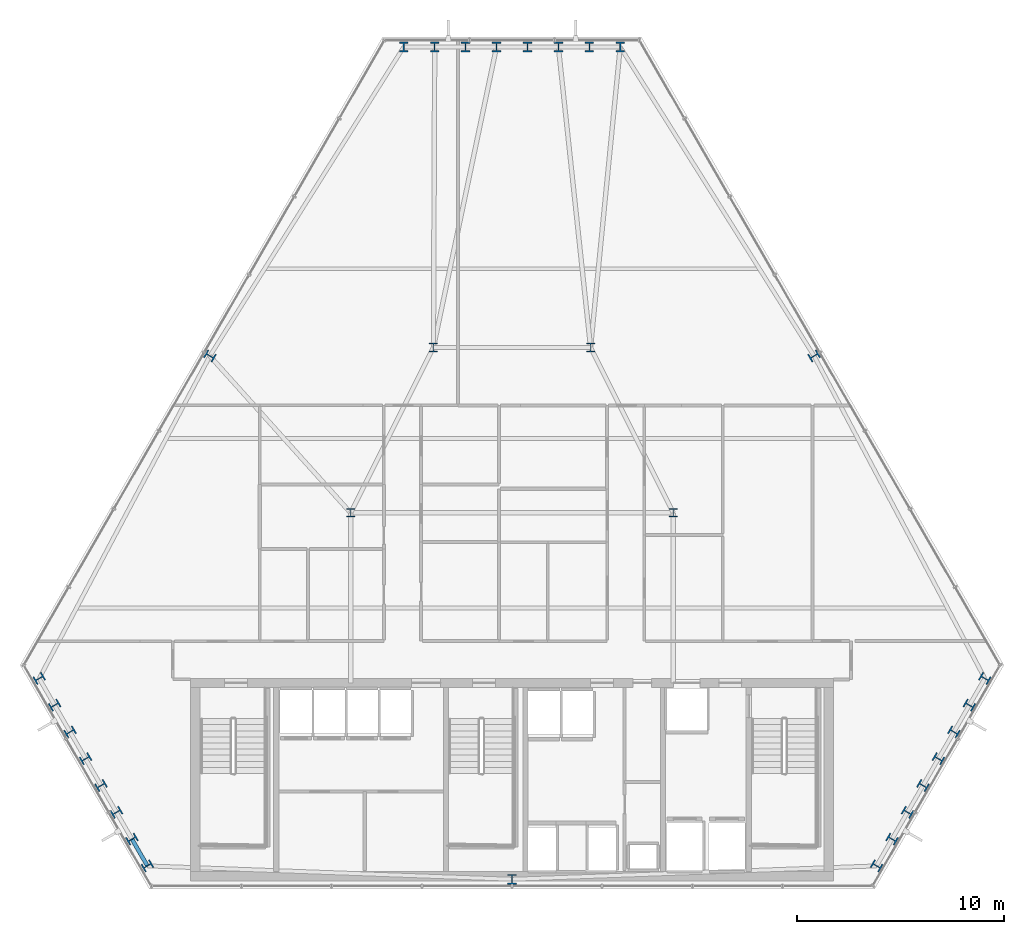
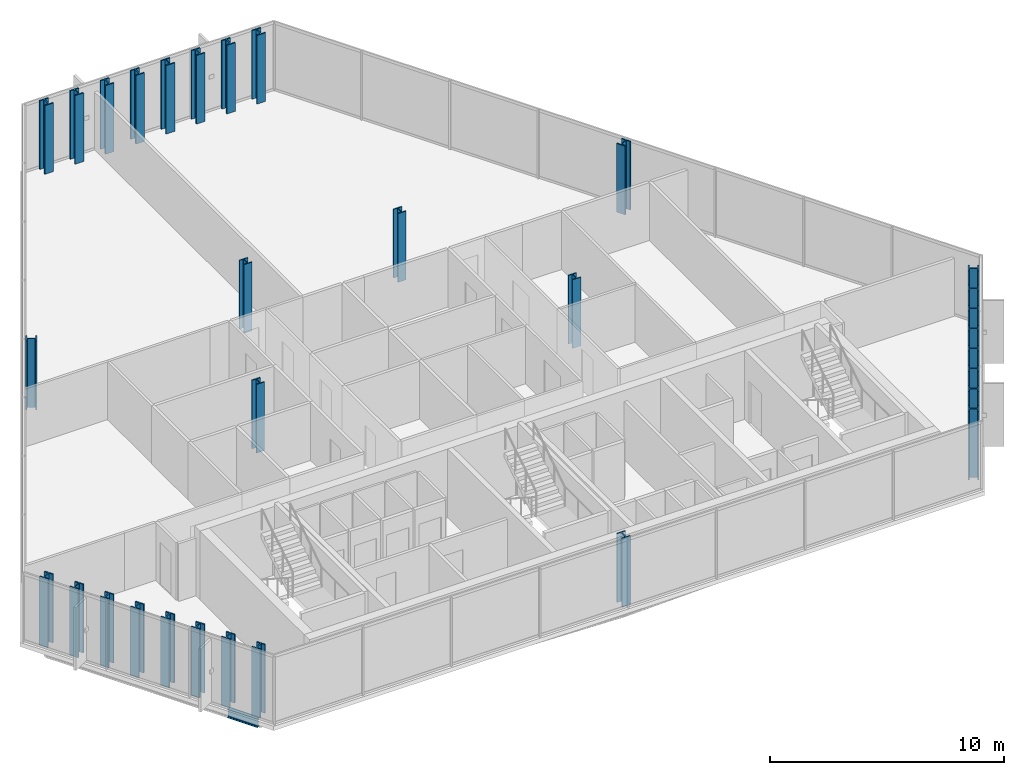
# One storey, part 1 of 32: 31 columns, 1 beam.
"""IFC4 building model written with IfcOpenShell, lengths in metres."""

from ifc_helpers import new_model, si_unit, direction, frame, origin, origin_2d, place, context, subcontext, project, spatial, i_section, extrude, material, material_profile, profile_set, type_object, element, save


model = new_model("IFC4")

# Units and contexts
model_context = context("Model", 3, precision=1e-05, world=origin(), true_north=direction((0.0, 1.0)))
body_context = subcontext(model_context, "Body", "Model", "MODEL_VIEW")
ifc_project = project(units=[si_unit("LENGTHUNIT", "METRE"), si_unit("AREAUNIT", "SQUARE_METRE"), si_unit("VOLUMEUNIT", "CUBIC_METRE"), si_unit("PLANEANGLEUNIT", "RADIAN"), si_unit("MASSUNIT", "GRAM", prefix="KILO")], contexts=[model_context])

# Site, building, storey
site_placement = place(None, origin())
site = spatial("IfcSite", under=ifc_project, at=site_placement, CompositionType="ELEMENT")
building_placement = place(site_placement, origin())
building = spatial("IfcBuilding", under=site, at=building_placement, Name="Ndaravel Arena Tower", CompositionType="ELEMENT")
storey_placement = place(building_placement, frame((0.0, 0.0, 130.800048828125)))
storey = spatial("IfcBuildingStorey", under=building, at=storey_placement, Name="L30", CompositionType="ELEMENT", Elevation=130.800048828125)

# Columns
ifc_material_1 = material(Name="Steel S355", Category="steel")
ifc_material_profile_1 = material_profile(ifc_material_1, i_section(OverallWidth=0.406982421875, OverallDepth=0.4189453125, WebThickness=0.030517578125, FlangeThickness=0.04931640625, FilletRadius=0.01513671875, at=origin_2d()), Name="UC 356x406x393")
ifc_profile_set_1 = profile_set([ifc_material_profile_1], Name="Steel S355")
column_type_1 = type_object("IfcColumnType", Name="COL-INT-UC393", PredefinedType="COLUMN", material=ifc_profile_set_1)
for number, where, z_axis, x_axis, name in (
    (1, (34.199951171875, 23.199951171875, 0.0), (0.0, 0.0, 1.0), (1.0, 0.0, 0.0), "L30 Interior Spine Column IC-01"),
    (2, (49.800048828125, 23.199951171875, 0.0), (0.0, 0.0, 1.0), (1.0, 0.0, 0.0), "L30 Interior Spine Column IC-02"),
    (3, (38.199951171875, 31.199951171875, 0.0), (0.0, 0.0, 1.0), (1.0, 0.0, 0.0), "L30 Interior Spine Column IC-03"),
    (4, (45.800048828125, 31.199951171875, 0.0), (0.0, 0.0, 1.0), (1.0, 0.0, 0.0), "L30 Interior Spine Column IC-04"),
):
    element("IfcColumn", number, at=place(storey_placement, frame(where, z_axis=z_axis, x_axis=x_axis)), inside=storey, type_object=column_type_1, Name=name, PredefinedType="COLUMN", context=body_context, shape_type="SweptSolid", body=[
        extrude(i_section(OverallWidth=0.406982421875, OverallDepth=0.4189453125, WebThickness=0.030517578125, FlangeThickness=0.04931640625, FilletRadius=0.01513671875, at=origin_2d()), origin(), (0.0, 0.0, 1.0), 3.579833984375),
    ])
ifc_material_2 = material(Name="Steel S355", Category="steel")
ifc_material_profile_2 = material_profile(ifc_material_2, i_section(OverallWidth=0.427978515625, OverallDepth=0.48095703125, WebThickness=0.051025390625, FlangeThickness=0.06494140625, FilletRadius=0.014892578125, at=origin_2d()), Name="HD 400x677")
ifc_profile_set_2 = profile_set([ifc_material_profile_2], Name="Steel S355")
column_type_2 = type_object("IfcColumnType", Name="COL-TUBE-HD677", PredefinedType="COLUMN", material=ifc_profile_set_2)
for number, where, z_axis, x_axis, name in (
    (5, (42.0, 5.47998046875, 0.0), (0.0, 0.0, 1.0), (1.0, 0.0, 0.0), "L30 Framed Tube Column TC-01"),
    (6, (59.6337890625, 6.127685546875, 0.0), (0.0, 0.0, 1.0), (0.5, 0.866025403784, 0.0), "L30 Framed Tube Column TC-02"),
    (7, (60.381591796875, 7.422607421875, 0.0), (0.0, 0.0, 1.0), (0.5, 0.866025403784, 0.0), "L30 Framed Tube Column TC-03"),
    (8, (61.129150390625, 8.7177734375, 0.0), (0.0, 0.0, 1.0), (0.5, 0.866025403784, 0.0), "L30 Framed Tube Column TC-04"),
    (9, (61.876953125, 10.012939453125, 0.0), (0.0, 0.0, 1.0), (0.5, 0.866025403784, 0.0), "L30 Framed Tube Column TC-05"),
    (10, (62.624755859375, 11.30810546875, 0.0), (0.0, 0.0, 1.0), (0.5, 0.866025403784, 0.0), "L30 Framed Tube Column TC-06"),
    (11, (63.37255859375, 12.603271484375, 0.0), (0.0, 0.0, 1.0), (0.5, 0.866025403784, 0.0), "L30 Framed Tube Column TC-07"),
    (12, (64.1201171875, 13.8984375, 0.0), (0.0, 0.0, 1.0), (0.5, 0.866025403784, 0.0), "L30 Framed Tube Column TC-08"),
    (13, (64.867919921875, 15.193603515625, 0.0), (0.0, 0.0, 1.0), (0.5, 0.866025403784, 0.0), "L30 Framed Tube Column TC-09"),
    (14, (56.61181640625, 30.78857421875, 0.0), (0.0, 0.0, 1.0), (-0.5, 0.866025403784, 0.0), "L30 Framed Tube Column TC-10"),
    (15, (47.234375, 45.736083984375, 0.0), (0.0, 0.0, 1.0), (1.0, 0.0, 0.0), "L30 Framed Tube Column TC-11"),
    (16, (45.73876953125, 45.736083984375, 0.0), (0.0, 0.0, 1.0), (1.0, 0.0, 0.0), "L30 Framed Tube Column TC-12"),
    (17, (44.243408203125, 45.736083984375, 0.0), (0.0, 0.0, 1.0), (1.0, 0.0, 0.0), "L30 Framed Tube Column TC-13"),
    (18, (42.747802734375, 45.736083984375, 0.0), (0.0, 0.0, 1.0), (1.0, 0.0, 0.0), "L30 Framed Tube Column TC-14"),
    (19, (41.252197265625, 45.736083984375, 0.0), (0.0, 0.0, 1.0), (1.0, 0.0, 0.0), "L30 Framed Tube Column TC-15"),
    (20, (39.756591796875, 45.736083984375, 0.0), (0.0, 0.0, 1.0), (1.0, 0.0, 0.0), "L30 Framed Tube Column TC-16"),
    (21, (38.26123046875, 45.736083984375, 0.0), (0.0, 0.0, 1.0), (1.0, 0.0, 0.0), "L30 Framed Tube Column TC-17"),
    (22, (36.765625, 45.736083984375, 0.0), (0.0, 0.0, 1.0), (1.0, 0.0, 0.0), "L30 Framed Tube Column TC-18"),
    (23, (27.38818359375, 30.78857421875, 0.0), (0.0, 0.0, 1.0), (0.5, 0.866025403784, 0.0), "L30 Framed Tube Column TC-19"),
    (24, (19.132080078125, 15.193603515625, 0.0), (0.0, 0.0, 1.0), (-0.5, 0.866025403784, 0.0), "L30 Framed Tube Column TC-20"),
    (25, (19.8798828125, 13.8984375, 0.0), (0.0, 0.0, 1.0), (-0.5, 0.866025403784, 0.0), "L30 Framed Tube Column TC-21"),
    (26, (20.62744140625, 12.603271484375, 0.0), (0.0, 0.0, 1.0), (-0.5, 0.866025403784, 0.0), "L30 Framed Tube Column TC-22"),
    (27, (21.375244140625, 11.30810546875, 0.0), (0.0, 0.0, 1.0), (-0.5, 0.866025403784, 0.0), "L30 Framed Tube Column TC-23"),
    (28, (22.123046875, 10.012939453125, 0.0), (0.0, 0.0, 1.0), (-0.5, 0.866025403784, 0.0), "L30 Framed Tube Column TC-24"),
    (29, (22.870849609375, 8.7177734375, 0.0), (0.0, 0.0, 1.0), (-0.5, 0.866025403784, 0.0), "L30 Framed Tube Column TC-25"),
    (30, (23.618408203125, 7.422607421875, 0.0), (0.0, 0.0, 1.0), (-0.5, 0.866025403784, 0.0), "L30 Framed Tube Column TC-26"),
    (31, (24.3662109375, 6.127685546875, 0.0), (0.0, 0.0, 1.0), (-0.5, 0.866025403784, 0.0), "L30 Framed Tube Column TC-27"),
):
    element("IfcColumn", number, at=place(storey_placement, frame(where, z_axis=z_axis, x_axis=x_axis)), inside=storey, type_object=column_type_2, Name=name, PredefinedType="COLUMN", context=body_context, shape_type="SweptSolid", body=[
        extrude(i_section(OverallWidth=0.427978515625, OverallDepth=0.48095703125, WebThickness=0.051025390625, FlangeThickness=0.06494140625, FilletRadius=0.014892578125, at=origin_2d()), origin(), (0.0, 0.0, 1.0), 3.579833984375),
    ])

# Beam
ifc_material_3 = material(Name="Steel S355", Category="steel")
ifc_material_profile_3 = material_profile(ifc_material_3, i_section(OverallWidth=0.18994140625, OverallDepth=0.449951171875, WebThickness=0.009521484375, FlangeThickness=0.0146484375, FilletRadius=0.02099609375, at=origin_2d()), Name="IPE 450")
ifc_profile_set_3 = profile_set([ifc_material_profile_3], Name="Steel S355")
beam_type = type_object("IfcBeamType", Name="BM-SPAN-IPE450", PredefinedType="SPANDREL", material=ifc_profile_set_3)
beam_placement = place(storey_placement, frame((23.618408203125, 7.422607421875, -0.445068359375), z_axis=(0.500089897431, -0.865973495257, 0.0), x_axis=(0.865973495257, 0.500089897431, 0.0)))
element("IfcBeam", 32, at=beam_placement, inside=storey, type_object=beam_type, Name="L30 Perimeter Spandrel Beam SP-26", PredefinedType="SPANDREL", context=body_context, shape_type="SweptSolid", body=[
    extrude(i_section(OverallWidth=0.18994140625, OverallDepth=0.449951171875, WebThickness=0.009521484375, FlangeThickness=0.0146484375, FilletRadius=0.02099609375, at=origin_2d()), origin(), (0.0, 0.0, 1.0), 1.495361328125),
])

save(model, "model.ifc")
